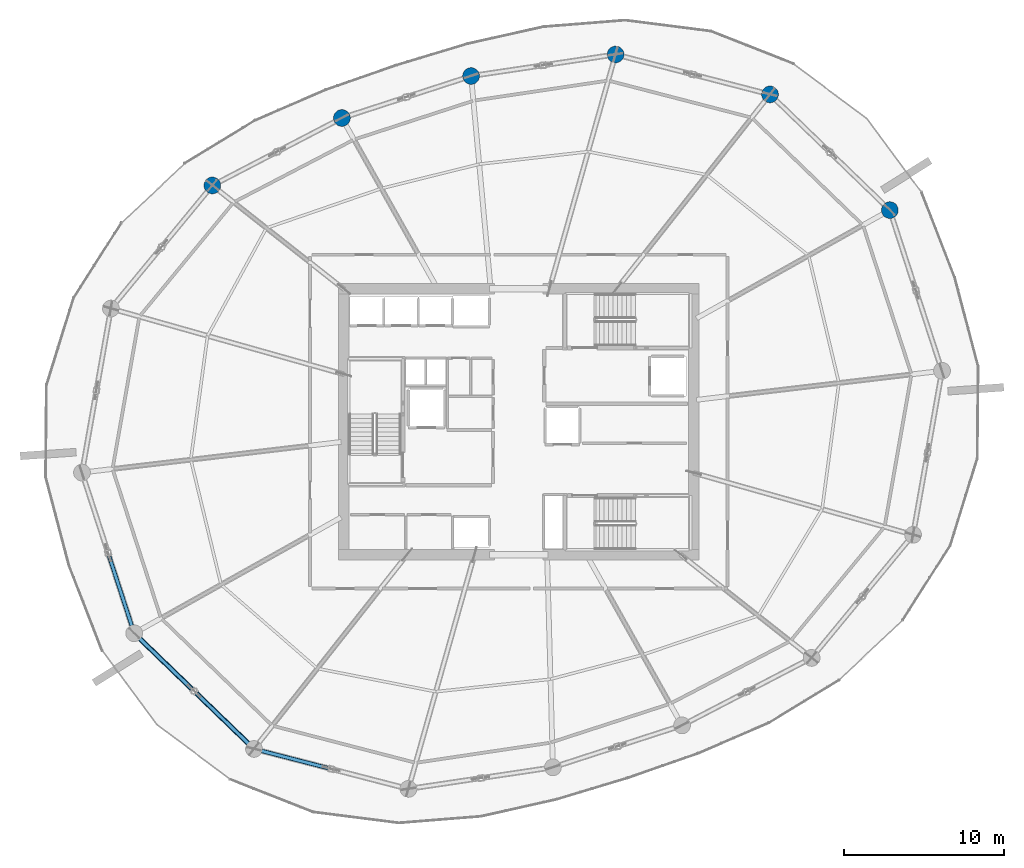
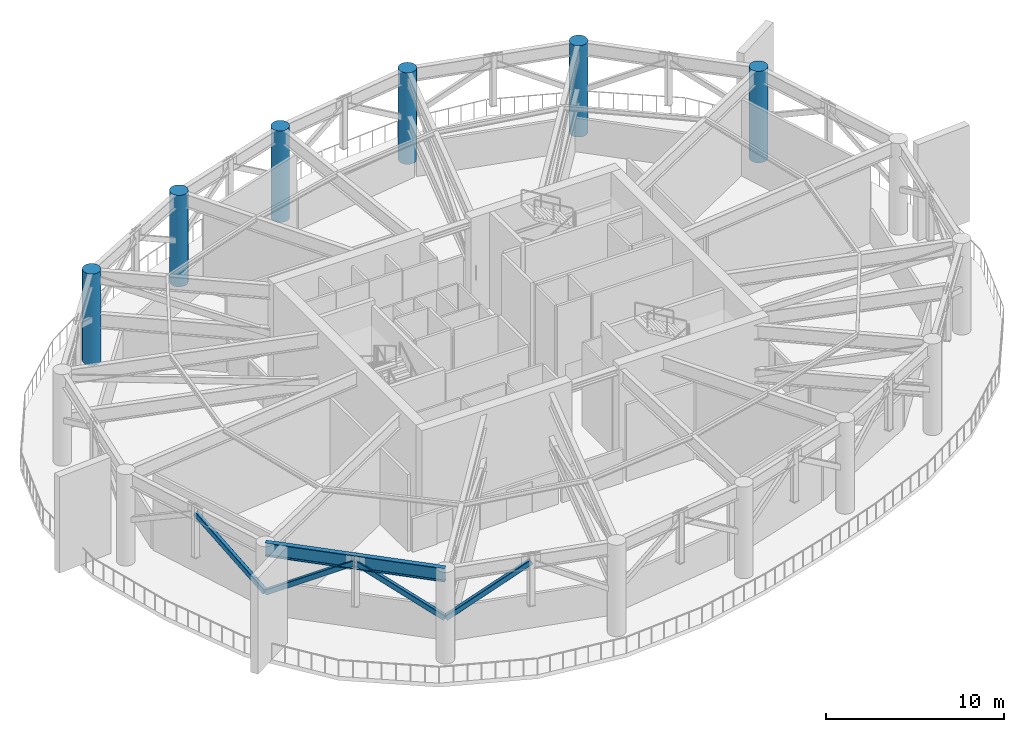
# One storey, part 4 of 20: 6 columns, 4 members, 1 beam.
"""IFC4 building model written with IfcOpenShell, lengths in metres."""

from ifc_helpers import new_model, si_unit, direction, frame, origin, origin_2d, place, context, subcontext, project, spatial, hollow_rectangle, circle, i_section, extrude, material, material_profile, profile_set, type_object, element, save


model = new_model("IFC4")

# Units and contexts
model_context = context("Model", 3, precision=1e-05, world=origin(), true_north=direction((0.0, 1.0)))
body_context = subcontext(model_context, "Body", "Model", "MODEL_VIEW")
ifc_project = project(units=[si_unit("LENGTHUNIT", "METRE"), si_unit("AREAUNIT", "SQUARE_METRE"), si_unit("VOLUMEUNIT", "CUBIC_METRE"), si_unit("PLANEANGLEUNIT", "RADIAN"), si_unit("MASSUNIT", "GRAM", prefix="KILO")], contexts=[model_context])

# Site, building, storey
site_placement = place(None, origin())
site = spatial("IfcSite", under=ifc_project, at=site_placement, CompositionType="ELEMENT")
building_placement = place(site_placement, origin())
building = spatial("IfcBuilding", under=site, at=building_placement, Name="Kazma Halo Residences", CompositionType="ELEMENT")
storey_placement = place(building_placement, frame((0.0, 0.0, 225.300048828125)))
storey = spatial("IfcBuildingStorey", under=building, at=storey_placement, Name="L57", CompositionType="ELEMENT", Elevation=225.300048828125)

# Columns
ifc_material_1 = material(Name="Concrete C80/95", Category="concrete")
ifc_material_profile_1 = material_profile(ifc_material_1, circle(Radius=0.52490234375, at=origin_2d()), Name="CIRC1050")
ifc_profile_set_1 = profile_set([ifc_material_profile_1], Name="Concrete C80/95")
column_type = type_object("IfcColumnType", Name="COL-PERIM-1050", PredefinedType="COLUMN", material=ifc_profile_set_1)
for number, where, z_axis, x_axis, name in (
    (1, (71.647705078125, 55.243408203125, 0.0), (0.0, 0.0, 1.0), (1.0, 0.0, 0.0), "L57 perimeter ring column P01"),
    (2, (64.14892578125, 62.48486328125, 0.0), (0.0, 0.0, 1.0), (1.0, 0.0, 0.0), "L57 perimeter ring column P02"),
    (3, (54.482666015625, 64.985595703125, 0.0), (0.0, 0.0, 1.0), (1.0, 0.0, 0.0), "L57 perimeter ring column P03"),
    (4, (45.439208984375, 63.63525390625, 0.0), (0.0, 0.0, 1.0), (1.0, 0.0, 0.0), "L57 perimeter ring column P04"),
    (5, (37.354736328125, 61.00830078125, 0.0), (0.0, 0.0, 1.0), (1.0, 0.0, 0.0), "L57 perimeter ring column P05"),
    (6, (29.244873046875, 56.785400390625, 0.0), (0.0, 0.0, 1.0), (1.0, 0.0, 0.0), "L57 perimeter ring column P06"),
):
    element("IfcColumn", number, at=place(storey_placement, frame(where, z_axis=z_axis, x_axis=x_axis)), inside=storey, type_object=column_type, Name=name, PredefinedType="COLUMN", context=body_context, shape_type="SweptSolid", body=[
        extrude(circle(Radius=0.52490234375, at=origin_2d()), origin(), (0.0, 0.0, 1.0), 6.280029296875),
    ])

# Beam
ifc_material_2 = material(Name="Steel S355", Category="steel")
ifc_material_profile_2 = material_profile(ifc_material_2, i_section(OverallWidth=0.30908203125, OverallDepth=0.931884765625, WebThickness=0.02099609375, FlangeThickness=0.034423828125, FilletRadius=0.02392578125, at=origin_2d()), Name="W920x313")
ifc_profile_set_2 = profile_set([ifc_material_profile_2], Name="Steel S355")
beam_type = type_object("IfcBeamType", Name="BM-BELT-W920A", PredefinedType="BEAM", material=ifc_profile_set_2)
beam_placement = place(storey_placement, frame((24.352294921875, 28.756591796875, 5.81396484375), z_axis=(0.719341330106, -0.694656786335, 0.0), x_axis=(0.694656786335, 0.719341330106, 0.0)))
element("IfcBeam", 7, at=beam_placement, inside=storey, type_object=beam_type, Name="L57 perimeter ring beam 09", PredefinedType="BEAM", context=body_context, shape_type="SweptSolid", body=[
    extrude(i_section(OverallWidth=0.30908203125, OverallDepth=0.931884765625, WebThickness=0.02099609375, FlangeThickness=0.034423828125, FilletRadius=0.02392578125, at=origin_2d()), origin(), (0.0, 0.0, 1.0), 10.424560546875),
])

# Members
ifc_material_profile_3 = material_profile(ifc_material_2, hollow_rectangle(XDim=0.25, YDim=0.35009765625, WallThickness=0.01611328125, InnerFilletRadius=0.01611328125, OuterFilletRadius=0.031982421875, at=origin_2d()), Name="RHS350x250x16")
ifc_profile_set_3 = profile_set([ifc_material_profile_3], Name="Steel S355")
member_type = type_object("IfcMemberType", Name="MBR-BELT-RHS350", PredefinedType="BRACE", material=ifc_profile_set_3)
member_1_placement = place(storey_placement, frame((24.352294921875, 28.756591796875, 2.820068359375), z_axis=(-0.270051696482, 0.831220090277, 0.485947777799), x_axis=(-0.951065959134, -0.308987930795, 0.0)))
element("IfcMember", 8, at=member_1_placement, inside=storey, type_object=member_type, Name="L57 belt-truss chevron diagonal 08B", PredefinedType="BRACE", context=body_context, shape_type="SweptSolid", body=[
    extrude(hollow_rectangle(XDim=0.25, YDim=0.35009765625, WallThickness=0.01611328125, InnerFilletRadius=0.01611328125, OuterFilletRadius=0.031982421875, at=origin_2d()), origin(), (0.0, 0.0, 1.0), 6.0498046875),
])
for number, where, z_axis, x_axis, name in (
    (9, (24.352294921875, 28.756591796875, 2.820068359375), (0.626566589799, -0.605025558453, 0.49128238536), (0.69463296451, 0.719364333712, 0.0), "L57 belt-truss chevron diagonal 09A"),
    (10, (31.85107421875, 21.51513671875, 2.820068359375), (-0.626526341952, 0.605066886598, 0.491282816291), (-0.694680607426, -0.719318325685, 0.0), "L57 belt-truss chevron diagonal 09B"),
):
    element("IfcMember", number, at=place(storey_placement, frame(where, z_axis=z_axis, x_axis=x_axis)), inside=storey, type_object=member_type, Name=name, PredefinedType="BRACE", context=body_context, shape_type="SweptSolid", body=[
        extrude(hollow_rectangle(XDim=0.25, YDim=0.35009765625, WallThickness=0.01611328125, InnerFilletRadius=0.01611328125, OuterFilletRadius=0.031982421875, at=origin_2d()), origin(), (0.0, 0.0, 1.0), 5.984130859375),
    ])
member_2_placement = place(storey_placement, frame((31.85107421875, 21.51513671875, 2.820068359375), z_axis=(0.834215977307, -0.215802183259, 0.507457506503), x_axis=(0.250444467589, 0.968130966685, 0.0)))
element("IfcMember", 11, at=member_2_placement, inside=storey, type_object=member_type, Name="L57 belt-truss chevron diagonal 10A", PredefinedType="BRACE", context=body_context, shape_type="SweptSolid", body=[
    extrude(hollow_rectangle(XDim=0.25, YDim=0.35009765625, WallThickness=0.01611328125, InnerFilletRadius=0.01611328125, OuterFilletRadius=0.031982421875, at=origin_2d()), origin(), (0.0, 0.0, 1.0), 5.79345703125),
])

save(model, "model.ifc")
